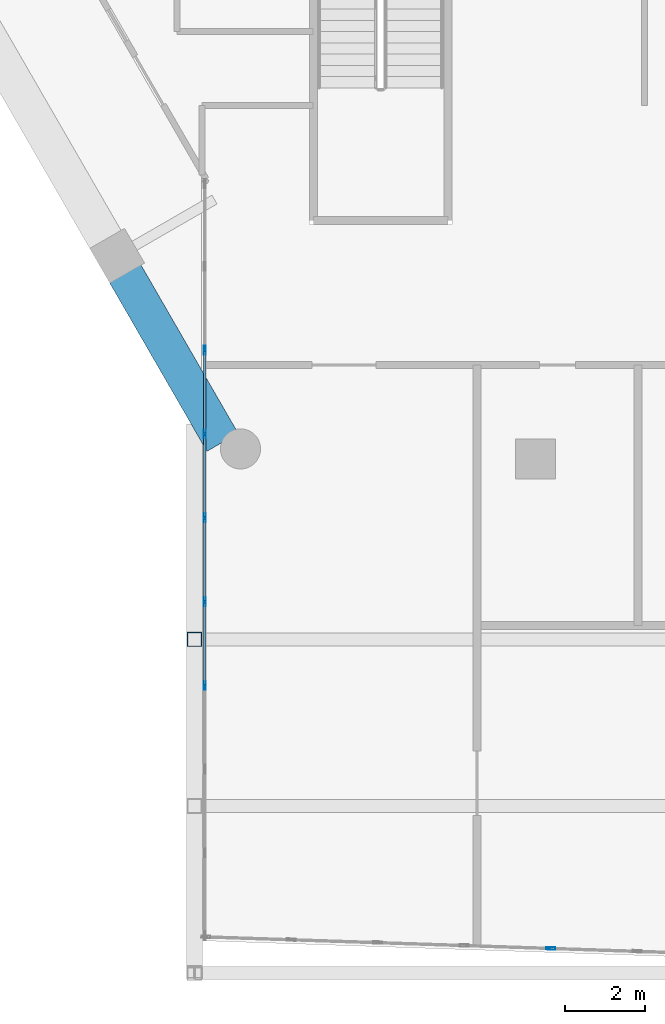
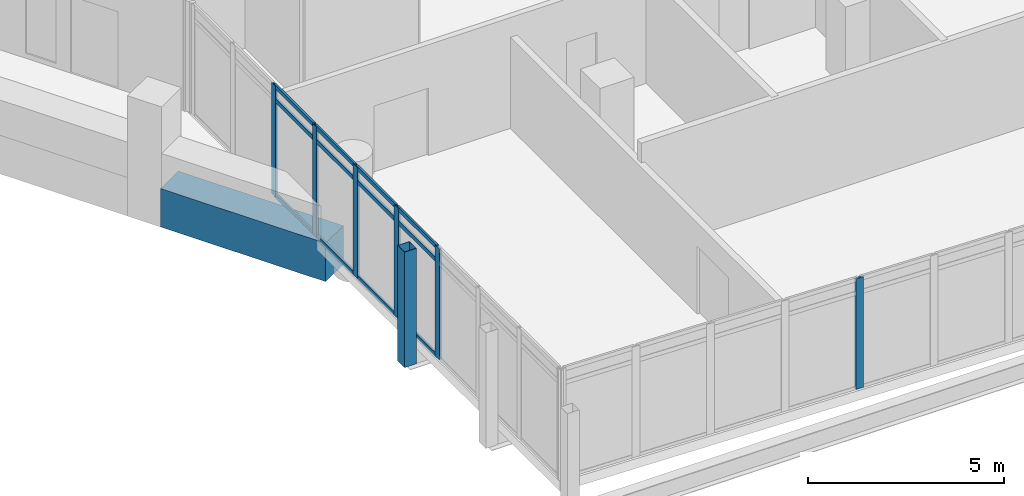
# One storey, part 4 of 38: 19 members, 1 beam, 2 elements without a shape of their own.
"""IFC4 building model written with IfcOpenShell, lengths in metres."""

from ifc_helpers import new_model, si_unit, direction, frame, origin, origin_2d, place, context, subcontext, project, spatial, rectangle, hollow_rectangle, extrude, material, material_profile, profile_set, type_object, element, aggregate, save


model = new_model("IFC4")

# Units and contexts
model_context = context("Model", 3, precision=1e-05, world=origin(), true_north=direction((0.0, 1.0)))
body_context = subcontext(model_context, "Body", "Model", "MODEL_VIEW")
ifc_project = project(units=[si_unit("LENGTHUNIT", "METRE"), si_unit("AREAUNIT", "SQUARE_METRE"), si_unit("VOLUMEUNIT", "CUBIC_METRE"), si_unit("PLANEANGLEUNIT", "RADIAN"), si_unit("MASSUNIT", "GRAM", prefix="KILO")], contexts=[model_context])

# Site, building, storey
site_placement = place(None, origin())
site = spatial("IfcSite", under=ifc_project, at=site_placement, CompositionType="ELEMENT")
building_placement = place(site_placement, origin())
building = spatial("IfcBuilding", under=site, at=building_placement, Name="Ostrander Bayou Hotel Tower", CompositionType="ELEMENT")
storey_placement = place(building_placement, frame((0.0, 0.0, 194.5)))
storey = spatial("IfcBuildingStorey", under=building, at=storey_placement, Name="L48", CompositionType="ELEMENT", Elevation=194.5)

# Curtain wall, members
ifc_material_1 = material(Name="Aluminium and clear glass", Category="aluminium")
curtain_wall_type = type_object("IfcCurtainWallType", Name="CW-BAR glazed wall", PredefinedType="NOTDEFINED", material=ifc_material_1)
curtain_wall_1_placement = place(storey_placement, origin())
curtain_wall_1 = element("IfcCurtainWall", 1, at=curtain_wall_1_placement, inside=storey, type_object=curtain_wall_type, Name="CW-BAR L48:SB4S:E", PredefinedType="NOTDEFINED")
ifc_material_2 = material(Name="Aluminium", Category="aluminium")
ifc_material_profile_1 = material_profile(ifc_material_2, hollow_rectangle(XDim=0.06005859375, YDim=0.219970703125, WallThickness=0.00390625, at=origin_2d()))
ifc_profile_set_1 = profile_set([ifc_material_profile_1], Name="Aluminium")
member_type_1 = type_object("IfcMemberType", Name="CW-BR mullion 60 x 220 mm", PredefinedType="MULLION", material=ifc_profile_set_1)
member_1_placement = place(storey_placement, frame((-11.857177734375, -14.63818359375, 0.0), z_axis=(0.0, 0.0, 1.0), x_axis=(1.0, 0.0, 0.0)))
member_1 = element("IfcMember", 2, at=member_1_placement, type_object=member_type_1, Name="CW-BAR mullion 3", PredefinedType="MULLION", context=body_context, shape_type="SweptSolid", body=[
    extrude(hollow_rectangle(XDim=0.06005859375, YDim=0.219970703125, WallThickness=0.00390625, at=origin_2d()), origin(), (0.0, 0.0, 1.0), 3.449951171875),
])
member_2_placement = place(storey_placement, frame((-11.857177734375, -16.72607421875, 0.0), z_axis=(0.0, 0.0, 1.0), x_axis=(1.0, 0.0, 0.0)))
member_2 = element("IfcMember", 3, at=member_2_placement, type_object=member_type_1, Name="CW-BAR mullion 4", PredefinedType="MULLION", context=body_context, shape_type="SweptSolid", body=[
    extrude(hollow_rectangle(XDim=0.06005859375, YDim=0.219970703125, WallThickness=0.00390625, at=origin_2d()), origin(), (0.0, 0.0, 1.0), 3.449951171875),
])
member_3_placement = place(storey_placement, frame((-11.857177734375, -18.813720703125, 0.0), z_axis=(0.0, 0.0, 1.0), x_axis=(1.0, 0.0, 0.0)))
member_3 = element("IfcMember", 4, at=member_3_placement, type_object=member_type_1, Name="CW-BAR mullion 5", PredefinedType="MULLION", context=body_context, shape_type="SweptSolid", body=[
    extrude(hollow_rectangle(XDim=0.06005859375, YDim=0.219970703125, WallThickness=0.00390625, at=origin_2d()), origin(), (0.0, 0.0, 1.0), 3.449951171875),
])
member_4_placement = place(storey_placement, frame((-11.857177734375, -20.9013671875, 0.0), z_axis=(0.0, 0.0, 1.0), x_axis=(1.0, 0.0, 0.0)))
member_4 = element("IfcMember", 5, at=member_4_placement, type_object=member_type_1, Name="CW-BAR mullion 6", PredefinedType="MULLION", context=body_context, shape_type="SweptSolid", body=[
    extrude(hollow_rectangle(XDim=0.06005859375, YDim=0.219970703125, WallThickness=0.00390625, at=origin_2d()), origin(), (0.0, 0.0, 1.0), 3.449951171875),
])
member_5_placement = place(storey_placement, frame((-11.857177734375, -22.9892578125, 0.0), z_axis=(0.0, 0.0, 1.0), x_axis=(1.0, 0.0, 0.0)))
member_5 = element("IfcMember", 6, at=member_5_placement, type_object=member_type_1, Name="CW-BAR mullion 7", PredefinedType="MULLION", context=body_context, shape_type="SweptSolid", body=[
    extrude(hollow_rectangle(XDim=0.06005859375, YDim=0.219970703125, WallThickness=0.00390625, at=origin_2d()), origin(), (0.0, 0.0, 1.0), 3.449951171875),
])

# Curtain wall, member
curtain_wall_2_placement = place(storey_placement, origin())
curtain_wall_2 = element("IfcCurtainWall", 7, at=curtain_wall_2_placement, inside=storey, type_object=curtain_wall_type, Name="CW-BAR L48:SB4S:T", PredefinedType="NOTDEFINED")
member_6_placement = place(storey_placement, frame((-3.23388671875, -29.54150390625, 0.0), z_axis=(0.0, 0.0, 1.0), x_axis=(0.03350511268, 0.999438546097, 0.0)))
member_6 = element("IfcMember", 8, at=member_6_placement, type_object=member_type_1, Name="CW-BAR mullion 5", PredefinedType="MULLION", context=body_context, shape_type="SweptSolid", body=[
    extrude(hollow_rectangle(XDim=0.06005859375, YDim=0.219970703125, WallThickness=0.00390625, at=origin_2d()), origin(), (0.0, 0.0, 1.0), 3.449951171875),
])
aggregate(curtain_wall_2, [member_6])

# Member
ifc_material_3 = material(Name="Aluminium", Category="aluminium")
ifc_material_profile_2 = material_profile(ifc_material_3, hollow_rectangle(XDim=0.06005859375, YDim=0.1298828125, WallThickness=0.00390625, at=origin_2d()))
ifc_profile_set_2 = profile_set([ifc_material_profile_2], Name="Aluminium")
member_type_2 = type_object("IfcMemberType", Name="CW-BR transom 60 x 130 mm", PredefinedType="USERDEFINED", material=ifc_profile_set_2)
member_7_placement = place(storey_placement, frame((-11.857177734375, -14.668212890625, 0.030029296875), z_axis=(0.0, -1.0, 0.0), x_axis=(1.0, 0.0, 0.0)))
member_7 = element("IfcMember", 9, at=member_7_placement, type_object=member_type_2, Name="CW-BAR transom 3.1", ObjectType="TRANSOM", PredefinedType="USERDEFINED", context=body_context, shape_type="SweptSolid", body=[
    extrude(hollow_rectangle(XDim=0.06005859375, YDim=0.1298828125, WallThickness=0.00390625, at=origin_2d()), origin(), (0.0, 0.0, 1.0), 2.02783203125),
])

member_8_placement = place(storey_placement, frame((-11.857177734375, -14.668212890625, 3.0), z_axis=(0.0, -1.0, 0.0), x_axis=(1.0, 0.0, 0.0)))
member_8 = element("IfcMember", 10, at=member_8_placement, type_object=member_type_2, Name="CW-BAR transom 3.2", ObjectType="TRANSOM", PredefinedType="USERDEFINED", context=body_context, shape_type="SweptSolid", body=[
    extrude(hollow_rectangle(XDim=0.06005859375, YDim=0.1298828125, WallThickness=0.00390625, at=origin_2d()), origin(), (0.0, 0.0, 1.0), 2.02783203125),
])

member_9_placement = place(storey_placement, frame((-11.857177734375, -14.668212890625, 3.419921875), z_axis=(0.0, -1.0, 0.0), x_axis=(1.0, 0.0, 0.0)))
member_9 = element("IfcMember", 11, at=member_9_placement, type_object=member_type_2, Name="CW-BAR transom 3.3", ObjectType="TRANSOM", PredefinedType="USERDEFINED", context=body_context, shape_type="SweptSolid", body=[
    extrude(hollow_rectangle(XDim=0.06005859375, YDim=0.1298828125, WallThickness=0.00390625, at=origin_2d()), origin(), (0.0, 0.0, 1.0), 2.02783203125),
])

member_10_placement = place(storey_placement, frame((-11.857177734375, -16.755859375, 0.030029296875), z_axis=(0.0, -1.0, 0.0), x_axis=(1.0, 0.0, 0.0)))
member_10 = element("IfcMember", 12, at=member_10_placement, type_object=member_type_2, Name="CW-BAR transom 4.1", ObjectType="TRANSOM", PredefinedType="USERDEFINED", context=body_context, shape_type="SweptSolid", body=[
    extrude(hollow_rectangle(XDim=0.06005859375, YDim=0.1298828125, WallThickness=0.00390625, at=origin_2d()), origin(), (0.0, 0.0, 1.0), 2.02783203125),
])

member_11_placement = place(storey_placement, frame((-11.857177734375, -16.755859375, 3.0), z_axis=(0.0, -1.0, 0.0), x_axis=(1.0, 0.0, 0.0)))
member_11 = element("IfcMember", 13, at=member_11_placement, type_object=member_type_2, Name="CW-BAR transom 4.2", ObjectType="TRANSOM", PredefinedType="USERDEFINED", context=body_context, shape_type="SweptSolid", body=[
    extrude(hollow_rectangle(XDim=0.06005859375, YDim=0.1298828125, WallThickness=0.00390625, at=origin_2d()), origin(), (0.0, 0.0, 1.0), 2.02783203125),
])

member_12_placement = place(storey_placement, frame((-11.857177734375, -16.755859375, 3.419921875), z_axis=(0.0, -1.0, 0.0), x_axis=(1.0, 0.0, 0.0)))
member_12 = element("IfcMember", 14, at=member_12_placement, type_object=member_type_2, Name="CW-BAR transom 4.3", ObjectType="TRANSOM", PredefinedType="USERDEFINED", context=body_context, shape_type="SweptSolid", body=[
    extrude(hollow_rectangle(XDim=0.06005859375, YDim=0.1298828125, WallThickness=0.00390625, at=origin_2d()), origin(), (0.0, 0.0, 1.0), 2.02783203125),
])

member_13_placement = place(storey_placement, frame((-11.857177734375, -18.84375, 0.030029296875), z_axis=(0.0, -1.0, 0.0), x_axis=(1.0, 0.0, 0.0)))
member_13 = element("IfcMember", 15, at=member_13_placement, type_object=member_type_2, Name="CW-BAR transom 5.1", ObjectType="TRANSOM", PredefinedType="USERDEFINED", context=body_context, shape_type="SweptSolid", body=[
    extrude(hollow_rectangle(XDim=0.06005859375, YDim=0.1298828125, WallThickness=0.00390625, at=origin_2d()), origin(), (0.0, 0.0, 1.0), 2.02783203125),
])

member_14_placement = place(storey_placement, frame((-11.857177734375, -18.84375, 3.0), z_axis=(0.0, -1.0, 0.0), x_axis=(1.0, 0.0, 0.0)))
member_14 = element("IfcMember", 16, at=member_14_placement, type_object=member_type_2, Name="CW-BAR transom 5.2", ObjectType="TRANSOM", PredefinedType="USERDEFINED", context=body_context, shape_type="SweptSolid", body=[
    extrude(hollow_rectangle(XDim=0.06005859375, YDim=0.1298828125, WallThickness=0.00390625, at=origin_2d()), origin(), (0.0, 0.0, 1.0), 2.02783203125),
])

member_15_placement = place(storey_placement, frame((-11.857177734375, -18.84375, 3.419921875), z_axis=(0.0, -1.0, 0.0), x_axis=(1.0, 0.0, 0.0)))
member_15 = element("IfcMember", 17, at=member_15_placement, type_object=member_type_2, Name="CW-BAR transom 5.3", ObjectType="TRANSOM", PredefinedType="USERDEFINED", context=body_context, shape_type="SweptSolid", body=[
    extrude(hollow_rectangle(XDim=0.06005859375, YDim=0.1298828125, WallThickness=0.00390625, at=origin_2d()), origin(), (0.0, 0.0, 1.0), 2.02783203125),
])

member_16_placement = place(storey_placement, frame((-11.857177734375, -20.931396484375, 0.030029296875), z_axis=(0.0, -1.0, 0.0), x_axis=(1.0, 0.0, 0.0)))
member_16 = element("IfcMember", 18, at=member_16_placement, type_object=member_type_2, Name="CW-BAR transom 6.1", ObjectType="TRANSOM", PredefinedType="USERDEFINED", context=body_context, shape_type="SweptSolid", body=[
    extrude(hollow_rectangle(XDim=0.06005859375, YDim=0.1298828125, WallThickness=0.00390625, at=origin_2d()), origin(), (0.0, 0.0, 1.0), 2.02783203125),
])

member_17_placement = place(storey_placement, frame((-11.857177734375, -20.931396484375, 3.0), z_axis=(0.0, -1.0, 0.0), x_axis=(1.0, 0.0, 0.0)))
member_17 = element("IfcMember", 19, at=member_17_placement, type_object=member_type_2, Name="CW-BAR transom 6.2", ObjectType="TRANSOM", PredefinedType="USERDEFINED", context=body_context, shape_type="SweptSolid", body=[
    extrude(hollow_rectangle(XDim=0.06005859375, YDim=0.1298828125, WallThickness=0.00390625, at=origin_2d()), origin(), (0.0, 0.0, 1.0), 2.02783203125),
])

member_18_placement = place(storey_placement, frame((-11.857177734375, -20.931396484375, 3.419921875), z_axis=(0.0, -1.0, 0.0), x_axis=(1.0, 0.0, 0.0)))
member_18 = element("IfcMember", 20, at=member_18_placement, type_object=member_type_2, Name="CW-BAR transom 6.3", ObjectType="TRANSOM", PredefinedType="USERDEFINED", context=body_context, shape_type="SweptSolid", body=[
    extrude(hollow_rectangle(XDim=0.06005859375, YDim=0.1298828125, WallThickness=0.00390625, at=origin_2d()), origin(), (0.0, 0.0, 1.0), 2.02783203125),
])

aggregate(curtain_wall_1, [member_1, member_2, member_3, member_4, member_5, member_7, member_8, member_9, member_10, member_11, member_12, member_13, member_14, member_15, member_16, member_17, member_18])

# Beam
ifc_material_4 = material(Name="Concrete f'c 60 MPa", Category="concrete")
ifc_material_profile_3 = material_profile(ifc_material_4, rectangle(XDim=0.89990234375, YDim=1.199951171875, at=origin_2d()))
ifc_profile_set_3 = profile_set([ifc_material_profile_3], Name="Concrete f'c 60 MPa")
beam_type = type_object("IfcBeamType", Name="SP3 spandrel beam 900 x 1200 mm f'c 60 MPa", PredefinedType="SPANDREL", material=ifc_profile_set_3)
beam_placement = place(storey_placement, frame((-13.847412109375, -12.71533203125, -0.60009765625), z_axis=(0.499974254476, -0.866040267459, 0.0), x_axis=(0.866040267459, 0.499974254476, 0.0)))
element("IfcBeam", 21, at=beam_placement, inside=storey, type_object=beam_type, Name="SP3 L48 SW-3", PredefinedType="SPANDREL", context=body_context, shape_type="SweptSolid", body=[
    extrude(rectangle(XDim=0.89990234375, YDim=1.199951171875, at=origin_2d()), origin(), (0.0, 0.0, 1.0), 4.867919921875),
])

# Member
ifc_material_5 = material(Name="Steel ASTM A500 Gr C", Category="steel")
ifc_material_profile_4 = material_profile(ifc_material_5, hollow_rectangle(XDim=0.355712890625, YDim=0.355712890625, WallThickness=0.0087890625, at=origin_2d()))
ifc_profile_set_4 = profile_set([ifc_material_profile_4], Name="Steel ASTM A500 Gr C")
member_type_3 = type_object("IfcMemberType", Name="TH3 bar hanger HSS14x14x3/8", PredefinedType="POST", material=ifc_profile_set_4)
member_19_placement = place(storey_placement, frame((-12.110107421875, -21.840576171875, -0.760986328125), z_axis=(0.0, 0.0, 1.0), x_axis=(1.0, 0.0, 0.0)))
element("IfcMember", 22, at=member_19_placement, inside=storey, type_object=member_type_3, Name="TH3 SB4SA H1-1", PredefinedType="POST", context=body_context, shape_type="SweptSolid", body=[
    extrude(hollow_rectangle(XDim=0.355712890625, YDim=0.355712890625, WallThickness=0.0087890625, at=origin_2d()), origin(), (0.0, 0.0, 1.0), 3.599853515625),
])

save(model, "model.ifc")
